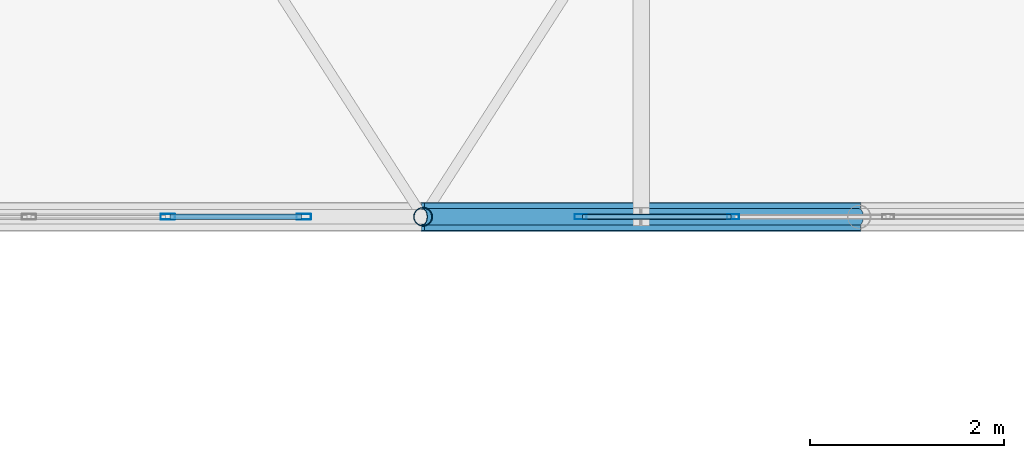
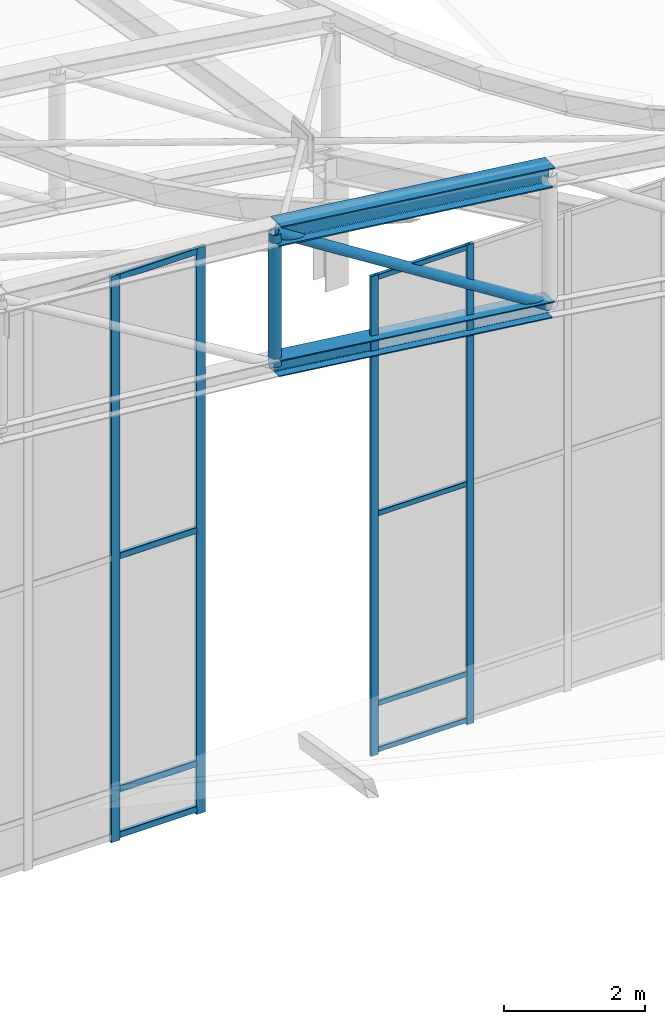
# One storey, part 150 of 262: 16 members, 2 elements without a shape of their own.
"""IFC4 building model written with IfcOpenShell, lengths in metres."""

import ifcopenshell
import ifcopenshell.guid

model = None  # the IFC model being written
_history = None  # IfcOwnerHistory: only IFC2X3 demands one
_inside = {}  # id of a spatial element -> (the spatial element, [elements in it])
_under = {}  # id of a project, library or spatial element -> (it, [spatial elements below it])
_declared = {}  # id of a project -> (the project, [libraries it declares])
_typed = {}  # id of a type object -> (the type object, [elements of that type])
_made_of = {}  # id of a material, layer set ... -> (it, [elements and type objects made of it])


def new_model(schema):
    """Start an empty IFC model of exactly this schema.

    Asked for "IFC4X3", IfcOpenShell would pick the latest addendum, in which some entities
    have other attributes; the version numbers below select the first issue.
    IFC2X3 requires an IfcOwnerHistory on every rooted entity: one is made here for all.
    """
    global model, _history
    if schema == "IFC4X3":
        model = ifcopenshell.file(schema_version=(4, 3, 0, 0))
    else:
        model = ifcopenshell.file(schema=schema)
    _inside.clear()
    _under.clear()
    _declared.clear()
    _typed.clear()
    _made_of.clear()
    _history = None
    if model.schema == "IFC2X3":
        org = make("IfcOrganization", Name="unknown")
        user = make(
            "IfcPersonAndOrganization",
            ThePerson=make("IfcPerson", FamilyName="unknown"),
            TheOrganization=org,
        )
        app = make(
            "IfcApplication",
            ApplicationDeveloper=org,
            Version="unknown",
            ApplicationFullName="unknown",
            ApplicationIdentifier="unknown",
        )
        _history = make(
            "IfcOwnerHistory",
            OwningUser=user,
            OwningApplication=app,
            ChangeAction="ADDED",
            CreationDate=0,
        )
    return model


def make(cls, **values):
    """One entity of the class cls with the attributes given. An attribute that is None is left unset."""
    return model.create_entity(
        cls, **{name: value for name, value in values.items() if value is not None}
    )


def rooted(cls, **values):
    """An entity with a GlobalId (a new one), such as an element, a storey or a relation."""
    return make(cls, GlobalId=ifcopenshell.guid.new(), OwnerHistory=_history, **values)


def si_unit(unit_type, name, prefix=None):
    """IfcSIUnit, for example si_unit("LENGTHUNIT", "METRE", prefix="MILLI")."""
    return make("IfcSIUnit", UnitType=unit_type, Prefix=prefix, Name=name)


def derived_unit(unit_type, elements):
    """IfcDerivedUnit: a product of units, each with its exponent."""
    return make(
        "IfcDerivedUnit",
        Elements=[
            make("IfcDerivedUnitElement", Unit=unit, Exponent=power)
            for unit, power in elements
        ],
        UnitType=unit_type,
    )


def assignment(units):
    """IfcUnitAssignment: the units of a project."""
    return None if units is None else make("IfcUnitAssignment", Units=units)


def point(xyz):
    """IfcCartesianPoint."""
    return None if xyz is None else make("IfcCartesianPoint", Coordinates=xyz)


def direction(xyz):
    """IfcDirection."""
    return None if xyz is None else make("IfcDirection", DirectionRatios=xyz)


def frame(location, z_axis=None, x_axis=None):
    """IfcAxis2Placement3D, a coordinate frame: its origin and axes. An axis left out is left unset."""
    return make(
        "IfcAxis2Placement3D",
        Location=point(location),
        Axis=direction(z_axis),
        RefDirection=direction(x_axis),
    )


def frame_2d(location, x_axis=None):
    """IfcAxis2Placement2D, a coordinate frame in the plane: its origin and x axis."""
    return make(
        "IfcAxis2Placement2D", Location=point(location), RefDirection=direction(x_axis)
    )


def origin():
    """The frame at (0, 0, 0) with its axes left unset."""
    return frame((0.0, 0.0, 0.0))


def origin_2d():
    """The frame at (0, 0) in the plane with its x axis left unset."""
    return frame_2d((0.0, 0.0))


def place(relative_to, where):
    """IfcLocalPlacement: puts the frame where relative to a parent placement (None: the world)."""
    return make(
        "IfcLocalPlacement", PlacementRelTo=relative_to, RelativePlacement=where
    )


def context(
    kind, dimensions, precision=None, world=None, true_north=None, identifier=None
):
    """IfcGeometricRepresentationContext, for example the 3D "Model" context."""
    return make(
        "IfcGeometricRepresentationContext",
        ContextIdentifier=identifier,
        ContextType=kind,
        CoordinateSpaceDimension=dimensions,
        Precision=precision,
        WorldCoordinateSystem=world,
        TrueNorth=true_north,
    )


def subcontext(parent, identifier, kind, view, scale=None):
    """IfcGeometricRepresentationSubContext, for example "Body" below "Model"."""
    return make(
        "IfcGeometricRepresentationSubContext",
        ContextIdentifier=identifier,
        ContextType=kind,
        ParentContext=parent,
        TargetScale=scale,
        TargetView=view,
    )


def project(units=None, contexts=None):
    """IfcProject with its units and contexts."""
    return rooted(
        "IfcProject",
        Name="project",
        RepresentationContexts=contexts,
        UnitsInContext=assignment(units),
    )


def spatial(cls, under=None, at=None, **own):
    """A site, building, storey or space (cls), placed at a placement, below another one or the project."""
    s = rooted(cls, ObjectPlacement=at, **own)
    if under is not None:
        _under.setdefault(under.id(), (under, []))[1].append(s)
    return s


def profile(cls, at=None, kind="AREA", **sizes):
    """A parametric profile (cls). Its sizes go by their IFC names, for example OverallWidth=200.0."""
    return make(cls, ProfileType=kind, Position=at, **sizes)


def hollow_rectangle(**sizes):
    """IfcRectangleHollowProfileDef."""
    return profile("IfcRectangleHollowProfileDef", **sizes)


def hollow_circle(**sizes):
    """IfcCircleHollowProfileDef."""
    return profile("IfcCircleHollowProfileDef", **sizes)


def i_section(**sizes):
    """IfcIShapeProfileDef."""
    return profile("IfcIShapeProfileDef", **sizes)


def extrude(swept, where, along, depth):
    """IfcExtrudedAreaSolid: the profile swept, set in the frame where, extruded along a direction by depth."""
    return make(
        "IfcExtrudedAreaSolid",
        SweptArea=swept,
        Position=where,
        ExtrudedDirection=direction(along),
        Depth=depth,
    )


def shape(context_of_items, identifier, shape_type, items):
    """IfcShapeRepresentation: the items that make up one representation, for example the "Body"."""
    return make(
        "IfcShapeRepresentation",
        ContextOfItems=context_of_items,
        RepresentationIdentifier=identifier,
        RepresentationType=shape_type,
        Items=items,
    )


def material(Name=None, Category=None):
    """IfcMaterial."""
    return make("IfcMaterial", Name=Name, Category=Category)


def layer(
    of_material, thickness, ventilated=None, Name=None, Category=None, Priority=None
):
    """IfcMaterialLayer: one layer of a wall or slab, of a material (None: an air gap)."""
    return make(
        "IfcMaterialLayer",
        Material=of_material,
        LayerThickness=thickness,
        IsVentilated=ventilated,
        Name=Name,
        Category=Category,
        Priority=Priority,
    )


def layer_set(layers, Name=None):
    """IfcMaterialLayerSet."""
    return make("IfcMaterialLayerSet", MaterialLayers=layers, LayerSetName=Name)


def material_profile(
    of_material, cross_section, Name=None, Category=None, Priority=None
):
    """IfcMaterialProfile: a cross section and its material."""
    return make(
        "IfcMaterialProfile",
        Name=Name,
        Material=of_material,
        Profile=cross_section,
        Priority=Priority,
        Category=Category,
    )


def profile_set(profiles, Name=None, composite=None):
    """IfcMaterialProfileSet."""
    return make(
        "IfcMaterialProfileSet",
        Name=Name,
        MaterialProfiles=profiles,
        CompositeProfile=composite,
    )


def made_of(thing, what):
    """Note that an element or type object is made of a material, layer set ...; save() writes the relation."""
    if what is not None:
        _made_of.setdefault(what.id(), (what, []))[1].append(thing)
    return thing


def type_object(cls, material=None, **own):
    """A type object (cls), such as IfcWallType, which elements share."""
    return made_of(rooted(cls, **own), material)


def element(
    cls,
    number,
    at=None,
    inside=None,
    cuts=None,
    type_object=None,
    material=None,
    context=None,
    identifier="Body",
    shape_type=None,
    held_by="IfcProductDefinitionShape",
    body=None,
    shapes=None,
    **own,
):
    """One element of the class cls, such as IfcWall. Its Tag is "e" and its number.

    at: its placement. inside: the storey or other place that contains it. cuts: it is an
    opening in that element (IfcRelVoidsElement). A single representation is given by context,
    identifier, shape_type and body (its items); several are given by shapes. held_by: the class
    of the entity that holds the representations. save() writes the other relations.
    """
    e = rooted(cls, Tag="e%d" % number, ObjectPlacement=at, **own)
    if body is not None:
        shapes = [shape(context, identifier, shape_type, body)]
    if shapes is not None:
        e.Representation = make(held_by, Representations=shapes)
    if inside is not None:
        _inside.setdefault(inside.id(), (inside, []))[1].append(e)
    if cuts is not None:
        rooted(
            "IfcRelVoidsElement", RelatingBuildingElement=cuts, RelatedOpeningElement=e
        )
    if type_object is not None:
        _typed.setdefault(type_object.id(), (type_object, []))[1].append(e)
    return made_of(e, material)


def aggregate(whole, parts):
    """IfcRelAggregates: a whole, such as a stair, and the parts it consists of."""
    return rooted("IfcRelAggregates", RelatingObject=whole, RelatedObjects=parts)


def save(model, path):
    """Write the relations noted so far, then the file.

    IfcRelAggregates (storeys below a building ...), IfcRelContainedInSpatialStructure (elements
    in a storey), IfcRelDefinesByType, IfcRelAssociatesMaterial and IfcRelDeclares: one each for
    every whole, place, type object, material and project.
    """
    for whole, parts in _under.values():
        aggregate(whole, parts)
    for where, things in _inside.values():
        rooted(
            "IfcRelContainedInSpatialStructure",
            RelatedElements=things,
            RelatingStructure=where,
        )
    for kind, things in _typed.values():
        rooted("IfcRelDefinesByType", RelatedObjects=things, RelatingType=kind)
    for what, things in _made_of.values():
        rooted("IfcRelAssociatesMaterial", RelatedObjects=things, RelatingMaterial=what)
    for by, libraries in _declared.values():
        rooted("IfcRelDeclares", RelatingContext=by, RelatedDefinitions=libraries)
    model.write(path)


model = new_model("IFC4")

# Units and contexts
model_context = context("Model", 3, precision=1e-05, world=origin(), true_north=direction((0.0, 1.0)))
body_context = subcontext(model_context, "Body", "Model", "MODEL_VIEW")
ifc_project = project(units=[si_unit("LENGTHUNIT", "METRE"), si_unit("AREAUNIT", "SQUARE_METRE"), si_unit("VOLUMEUNIT", "CUBIC_METRE"), si_unit("PLANEANGLEUNIT", "RADIAN"), si_unit("MASSUNIT", "GRAM", prefix="KILO"), derived_unit("THERMALTRANSMITTANCEUNIT", [(si_unit("POWERUNIT", "WATT"), 1), (si_unit("LENGTHUNIT", "METRE"), -2), (si_unit("THERMODYNAMICTEMPERATUREUNIT", "KELVIN"), -1)])], contexts=[model_context])

# Site, building, storey
site_placement = place(None, origin())
site = spatial("IfcSite", under=ifc_project, at=site_placement, CompositionType="ELEMENT")
building_placement = place(site_placement, origin())
building = spatial("IfcBuilding", under=site, at=building_placement, Name="Almenara Railside Exhibition Hall", CompositionType="ELEMENT")
storey_placement = place(building_placement, frame((0.0, 0.0, 21.699951171875)))
storey = spatial("IfcBuildingStorey", under=building, at=storey_placement, Name="RF", CompositionType="ELEMENT", Elevation=21.699951171875)

# Members
ifc_material_1 = material(Name="Structural steel S355JR", Category="steel")
ifc_material_profile_1 = material_profile(ifc_material_1, i_section(OverallWidth=0.280029296875, OverallDepth=0.280029296875, WebThickness=0.010498046875, FlangeThickness=0.01806640625, FilletRadius=0.02392578125, at=origin_2d()), Name="HEB 280")
ifc_profile_set_1 = profile_set([ifc_material_profile_1], Name="Structural steel S355JR")
member_type_1 = type_object("IfcMemberType", Name="Arched Gable Bottom Chord HEB 280 S355JR", PredefinedType="CHORD", material=ifc_profile_set_1)
member_1_placement = place(storey_placement, frame((183.0, 34.0, 0.622314453125), z_axis=(0.992612220818, 0.0, -0.121330041965), x_axis=(0.0, 1.0, 0.0)))
element("IfcMember", 1, at=member_1_placement, inside=storey, type_object=member_type_1, Name="MEM-BC-V2-00-10", PredefinedType="CHORD", context=body_context, shape_type="SweptSolid", body=[
    extrude(i_section(OverallWidth=0.280029296875, OverallDepth=0.280029296875, WebThickness=0.010498046875, FlangeThickness=0.01806640625, FilletRadius=0.02392578125, at=origin_2d()), origin(), (0.0, 0.0, 1.0), 4.533447265625),
])
ifc_material_profile_2 = material_profile(ifc_material_1, i_section(OverallWidth=0.300048828125, OverallDepth=0.340087890625, WebThickness=0.011962890625, FlangeThickness=0.021484375, FilletRadius=0.027099609375, at=origin_2d()), Name="HEB 340")
ifc_profile_set_2 = profile_set([ifc_material_profile_2], Name="Structural steel S355JR")
member_type_2 = type_object("IfcMemberType", Name="Arched Gable Top Chord HEB 340 S355JR", PredefinedType="CHORD", material=ifc_profile_set_2)
member_2_placement = place(storey_placement, frame((183.0, 34.0, 2.92236328125), z_axis=(0.992612220818, 0.0, -0.121330041965), x_axis=(0.0, 1.0, 0.0)))
element("IfcMember", 2, at=member_2_placement, inside=storey, type_object=member_type_2, Name="MEM-TC-V2-00-10", PredefinedType="CHORD", context=body_context, shape_type="SweptSolid", body=[
    extrude(i_section(OverallWidth=0.300048828125, OverallDepth=0.340087890625, WebThickness=0.011962890625, FlangeThickness=0.021484375, FilletRadius=0.027099609375, at=origin_2d()), origin(), (0.0, 0.0, 1.0), 4.533447265625),
])

# Curtain wall, members
ifc_material_2 = material(Name="Bronze-anodised aluminium and low-E double glazing", Category="aluminium")
ifc_layer_1 = layer(ifc_material_2, 0.179931640625, Name="Bronze-anodised aluminium and low-E double glazing")
ifc_layer_set_1 = layer_set([ifc_layer_1], Name="Bronze-anodised aluminium and low-E double glazing")
curtain_wall_type_1 = type_object("IfcCurtainWallType", Name="Scroll Gable Standard Curtain Wall 3600x5000", PredefinedType="NOTDEFINED", material=ifc_layer_set_1)
curtain_wall_1_placement = place(storey_placement, origin())
curtain_wall_1 = element("IfcCurtainWall", 3, at=curtain_wall_1_placement, inside=storey, type_object=curtain_wall_type_1, Name="Curtain wall CW-G2-215", PredefinedType="NOTDEFINED")
ifc_material_3 = material(Name="Bronze-anodised aluminium", Category="aluminium")
ifc_material_profile_3 = material_profile(ifc_material_3, hollow_rectangle(XDim=0.054931640625, YDim=0.125, WallThickness=0.0029296875, InnerFilletRadius=0.0029296875, OuterFilletRadius=0.006103515625, at=origin_2d()), Name="ALU-MUL 55x125x3")
ifc_profile_set_3 = profile_set([ifc_material_profile_3], Name="Bronze-anodised aluminium")
member_type_3 = type_object("IfcMemberType", Name="Curtain Wall Mullion 55x125x3", PredefinedType="MULLION", material=ifc_profile_set_3)
member_3_placement = place(storey_placement, frame((184.62744140625, 34.0, -6.73486328125), z_axis=(0.0, 0.0, 1.0), x_axis=(0.0, 1.0, 0.0)))
member_3 = element("IfcMember", 4, at=member_3_placement, type_object=member_type_3, Name="CW-G2-215 mullion 1", PredefinedType="MULLION", context=body_context, shape_type="SweptSolid", body=[
    extrude(hollow_rectangle(XDim=0.054931640625, YDim=0.125, WallThickness=0.0029296875, InnerFilletRadius=0.0029296875, OuterFilletRadius=0.006103515625, at=origin_2d()), origin(), (0.0, 0.0, 1.0), 8.3349609375),
])
member_4_placement = place(storey_placement, frame((186.199951171875, 34.0, -6.73486328125), z_axis=(0.0, 0.0, 1.0), x_axis=(0.0, 1.0, 0.0)))
member_4 = element("IfcMember", 5, at=member_4_placement, type_object=member_type_3, Name="CW-G2-215 mullion 2", PredefinedType="MULLION", context=body_context, shape_type="SweptSolid", body=[
    extrude(hollow_rectangle(XDim=0.054931640625, YDim=0.125, WallThickness=0.0029296875, InnerFilletRadius=0.0029296875, OuterFilletRadius=0.006103515625, at=origin_2d()), origin(), (0.0, 0.0, 1.0), 8.3349609375),
])

ifc_layer_2 = layer(ifc_material_2, 0.179931640625, Name="Bronze-anodised aluminium and low-E double glazing")
ifc_layer_set_2 = layer_set([ifc_layer_2], Name="Bronze-anodised aluminium and low-E double glazing")
curtain_wall_type_2 = type_object("IfcCurtainWallType", Name="Scroll Gable Tall Curtain Wall 3800x5400", PredefinedType="NOTDEFINED", material=ifc_layer_set_2)
curtain_wall_2_placement = place(storey_placement, origin())
curtain_wall_2 = element("IfcCurtainWall", 6, at=curtain_wall_2_placement, inside=storey, type_object=curtain_wall_type_2, Name="Curtain wall CW-G1-222", PredefinedType="NOTDEFINED")
ifc_material_profile_4 = material_profile(ifc_material_3, hollow_rectangle(XDim=0.06005859375, YDim=0.14990234375, WallThickness=0.00341796875, InnerFilletRadius=0.00341796875, OuterFilletRadius=0.007080078125, at=origin_2d()), Name="ALU-MUL 60x150x3.5")
ifc_profile_set_4 = profile_set([ifc_material_profile_4], Name="Bronze-anodised aluminium")
member_type_4 = type_object("IfcMemberType", Name="Curtain Wall Mullion 60x150x3.5", PredefinedType="MULLION", material=ifc_profile_set_4)
member_5_placement = place(storey_placement, frame((180.36669921875, 34.0, -6.73486328125), z_axis=(0.0, 0.0, 1.0), x_axis=(0.0, 1.0, 0.0)))
member_5 = element("IfcMember", 7, at=member_5_placement, type_object=member_type_4, Name="CW-G1-222 mullion 3", PredefinedType="MULLION", context=body_context, shape_type="SweptSolid", body=[
    extrude(hollow_rectangle(XDim=0.06005859375, YDim=0.14990234375, WallThickness=0.00341796875, InnerFilletRadius=0.00341796875, OuterFilletRadius=0.007080078125, at=origin_2d()), origin(), (0.0, 0.0, 1.0), 9.8349609375),
])
member_6_placement = place(storey_placement, frame((181.77001953125, 34.0, -6.73486328125), z_axis=(0.0, 0.0, 1.0), x_axis=(0.0, 1.0, 0.0)))
member_6 = element("IfcMember", 8, at=member_6_placement, type_object=member_type_4, Name="CW-G1-222 mullion 4", PredefinedType="MULLION", context=body_context, shape_type="SweptSolid", body=[
    extrude(hollow_rectangle(XDim=0.06005859375, YDim=0.14990234375, WallThickness=0.00341796875, InnerFilletRadius=0.00341796875, OuterFilletRadius=0.007080078125, at=origin_2d()), origin(), (0.0, 0.0, 1.0), 9.8349609375),
])

# Member
ifc_material_profile_5 = material_profile(ifc_material_3, hollow_rectangle(XDim=0.054931640625, YDim=0.090087890625, WallThickness=0.0029296875, InnerFilletRadius=0.0029296875, OuterFilletRadius=0.006103515625, at=origin_2d()), Name="ALU-TRN 55x90x3")
ifc_profile_set_5 = profile_set([ifc_material_profile_5], Name="Bronze-anodised aluminium")
member_type_5 = type_object("IfcMemberType", Name="Curtain Wall Transom 55x90x3", PredefinedType="USERDEFINED", material=ifc_profile_set_5)
member_7_placement = place(storey_placement, frame((184.64697265625, 34.0, -6.655029296875), z_axis=(1.0, 0.0, 0.0), x_axis=(0.0, 1.0, 0.0)))
member_7 = element("IfcMember", 9, at=member_7_placement, type_object=member_type_5, Name="CW-G2-215 transom 1.1", ObjectType="TRANSOM", PredefinedType="USERDEFINED", context=body_context, shape_type="SweptSolid", body=[
    extrude(hollow_rectangle(XDim=0.054931640625, YDim=0.090087890625, WallThickness=0.0029296875, InnerFilletRadius=0.0029296875, OuterFilletRadius=0.006103515625, at=origin_2d()), origin(), (0.0, 0.0, 1.0), 1.533447265625),
])

member_8_placement = place(storey_placement, frame((184.64697265625, 34.0, -5.849853515625), z_axis=(1.0, 0.0, 0.0), x_axis=(0.0, 1.0, 0.0)))
member_8 = element("IfcMember", 10, at=member_8_placement, type_object=member_type_5, Name="CW-G2-215 transom 1.2", ObjectType="TRANSOM", PredefinedType="USERDEFINED", context=body_context, shape_type="SweptSolid", body=[
    extrude(hollow_rectangle(XDim=0.054931640625, YDim=0.090087890625, WallThickness=0.0029296875, InnerFilletRadius=0.0029296875, OuterFilletRadius=0.006103515625, at=origin_2d()), origin(), (0.0, 0.0, 1.0), 1.533447265625),
])

member_9_placement = place(storey_placement, frame((184.64697265625, 34.0, -2.550048828125), z_axis=(1.0, 0.0, 0.0), x_axis=(0.0, 1.0, 0.0)))
member_9 = element("IfcMember", 11, at=member_9_placement, type_object=member_type_5, Name="CW-G2-215 transom 1.3", ObjectType="TRANSOM", PredefinedType="USERDEFINED", context=body_context, shape_type="SweptSolid", body=[
    extrude(hollow_rectangle(XDim=0.054931640625, YDim=0.090087890625, WallThickness=0.0029296875, InnerFilletRadius=0.0029296875, OuterFilletRadius=0.006103515625, at=origin_2d()), origin(), (0.0, 0.0, 1.0), 1.533447265625),
])

member_10_placement = place(storey_placement, frame((184.64697265625, 34.0, 1.554931640625), z_axis=(1.0, 0.0, 0.0), x_axis=(0.0, 1.0, 0.0)))
member_10 = element("IfcMember", 12, at=member_10_placement, type_object=member_type_5, Name="CW-G2-215 transom 1.4", ObjectType="TRANSOM", PredefinedType="USERDEFINED", context=body_context, shape_type="SweptSolid", body=[
    extrude(hollow_rectangle(XDim=0.054931640625, YDim=0.090087890625, WallThickness=0.0029296875, InnerFilletRadius=0.0029296875, OuterFilletRadius=0.006103515625, at=origin_2d()), origin(), (0.0, 0.0, 1.0), 1.533447265625),
])

aggregate(curtain_wall_1, [member_3, member_4, member_7, member_8, member_9, member_10])

ifc_material_profile_6 = material_profile(ifc_material_3, hollow_rectangle(XDim=0.06005859375, YDim=0.110107421875, WallThickness=0.0029296875, InnerFilletRadius=0.0029296875, OuterFilletRadius=0.006103515625, at=origin_2d()), Name="ALU-TRN 60x110x3")
ifc_profile_set_6 = profile_set([ifc_material_profile_6], Name="Bronze-anodised aluminium")
member_type_6 = type_object("IfcMemberType", Name="Curtain Wall Transom 60x110x3", PredefinedType="USERDEFINED", material=ifc_profile_set_6)
member_11_placement = place(storey_placement, frame((180.388671875, 34.0, -6.64501953125), z_axis=(1.0, 0.0, 0.0), x_axis=(0.0, 1.0, 0.0)))
member_11 = element("IfcMember", 13, at=member_11_placement, type_object=member_type_6, Name="CW-G1-222 transom 3.1", ObjectType="TRANSOM", PredefinedType="USERDEFINED", context=body_context, shape_type="SweptSolid", body=[
    extrude(hollow_rectangle(XDim=0.06005859375, YDim=0.110107421875, WallThickness=0.0029296875, InnerFilletRadius=0.0029296875, OuterFilletRadius=0.006103515625, at=origin_2d()), origin(), (0.0, 0.0, 1.0), 1.359375),
])

member_12_placement = place(storey_placement, frame((180.388671875, 34.0, -5.849853515625), z_axis=(1.0, 0.0, 0.0), x_axis=(0.0, 1.0, 0.0)))
member_12 = element("IfcMember", 14, at=member_12_placement, type_object=member_type_6, Name="CW-G1-222 transom 3.2", ObjectType="TRANSOM", PredefinedType="USERDEFINED", context=body_context, shape_type="SweptSolid", body=[
    extrude(hollow_rectangle(XDim=0.06005859375, YDim=0.110107421875, WallThickness=0.0029296875, InnerFilletRadius=0.0029296875, OuterFilletRadius=0.006103515625, at=origin_2d()), origin(), (0.0, 0.0, 1.0), 1.359375),
])

member_13_placement = place(storey_placement, frame((180.388671875, 34.0, -1.800048828125), z_axis=(1.0, 0.0, 0.0), x_axis=(0.0, 1.0, 0.0)))
member_13 = element("IfcMember", 15, at=member_13_placement, type_object=member_type_6, Name="CW-G1-222 transom 3.3", ObjectType="TRANSOM", PredefinedType="USERDEFINED", context=body_context, shape_type="SweptSolid", body=[
    extrude(hollow_rectangle(XDim=0.06005859375, YDim=0.110107421875, WallThickness=0.0029296875, InnerFilletRadius=0.0029296875, OuterFilletRadius=0.006103515625, at=origin_2d()), origin(), (0.0, 0.0, 1.0), 1.359375),
])

member_14_placement = place(storey_placement, frame((180.388671875, 34.0, 3.045166015625), z_axis=(1.0, 0.0, 0.0), x_axis=(0.0, 1.0, 0.0)))
member_14 = element("IfcMember", 16, at=member_14_placement, type_object=member_type_6, Name="CW-G1-222 transom 3.4", ObjectType="TRANSOM", PredefinedType="USERDEFINED", context=body_context, shape_type="SweptSolid", body=[
    extrude(hollow_rectangle(XDim=0.06005859375, YDim=0.110107421875, WallThickness=0.0029296875, InnerFilletRadius=0.0029296875, OuterFilletRadius=0.006103515625, at=origin_2d()), origin(), (0.0, 0.0, 1.0), 1.359375),
])

aggregate(curtain_wall_2, [member_5, member_6, member_11, member_12, member_13, member_14])

# Members
ifc_material_profile_7 = material_profile(ifc_material_1, hollow_circle(Radius=0.084228515625, WallThickness=0.006103515625, at=origin_2d()), Name="CHS 168.3x6")
ifc_profile_set_7 = profile_set([ifc_material_profile_7], Name="Structural steel S355JR")
member_type_7 = type_object("IfcMemberType", Name="Truss End Diagonal CHS 168.3x6 S355JR", PredefinedType="BRACE", material=ifc_profile_set_7)
member_15_placement = place(storey_placement, frame((183.0, 34.0, 2.92236328125), z_axis=(0.844810788273, 0.0, -0.535065166141), x_axis=(0.0, 1.0, 0.0)))
element("IfcMember", 17, at=member_15_placement, inside=storey, type_object=member_type_7, Name="MEM-TD-V2-00-10", PredefinedType="BRACE", context=body_context, shape_type="SweptSolid", body=[
    extrude(hollow_circle(Radius=0.084228515625, WallThickness=0.006103515625, at=origin_2d()), origin(), (0.0, 0.0, 1.0), 5.32666015625),
])
ifc_material_profile_8 = material_profile(ifc_material_1, hollow_circle(Radius=0.096923828125, WallThickness=0.00634765625, at=origin_2d()), Name="CHS 193.7x6.3")
ifc_profile_set_8 = profile_set([ifc_material_profile_8], Name="Structural steel S355JR")
member_type_8 = type_object("IfcMemberType", Name="Truss Standard Vertical Strut CHS 193.7x6.3 S355JR", PredefinedType="BRACE", material=ifc_profile_set_8)
member_16_placement = place(storey_placement, frame((183.0, 34.0, 0.622314453125), z_axis=(0.0, 0.0, 1.0), x_axis=(1.0, 0.0, 0.0)))
element("IfcMember", 18, at=member_16_placement, inside=storey, type_object=member_type_8, Name="MEM-TV-V2-00-10", PredefinedType="BRACE", context=body_context, shape_type="SweptSolid", body=[
    extrude(hollow_circle(Radius=0.096923828125, WallThickness=0.00634765625, at=origin_2d()), origin(), (0.0, 0.0, 1.0), 2.300048828125),
])

save(model, "model.ifc")
